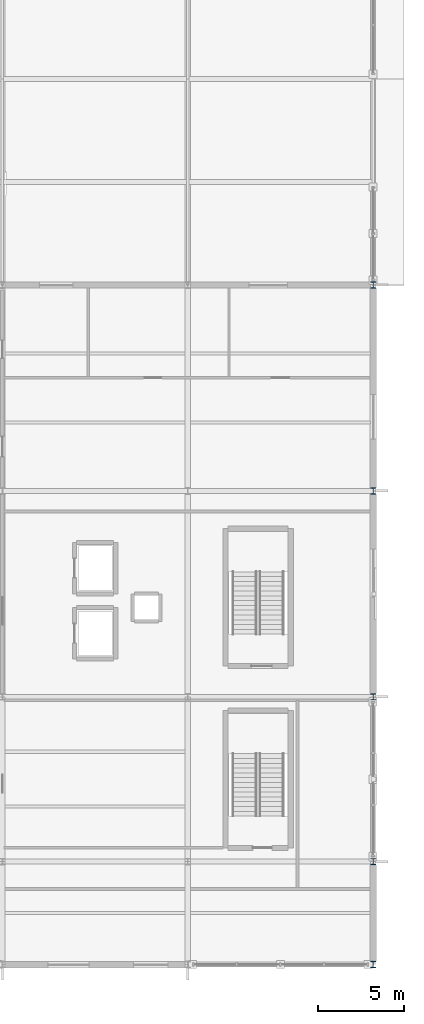
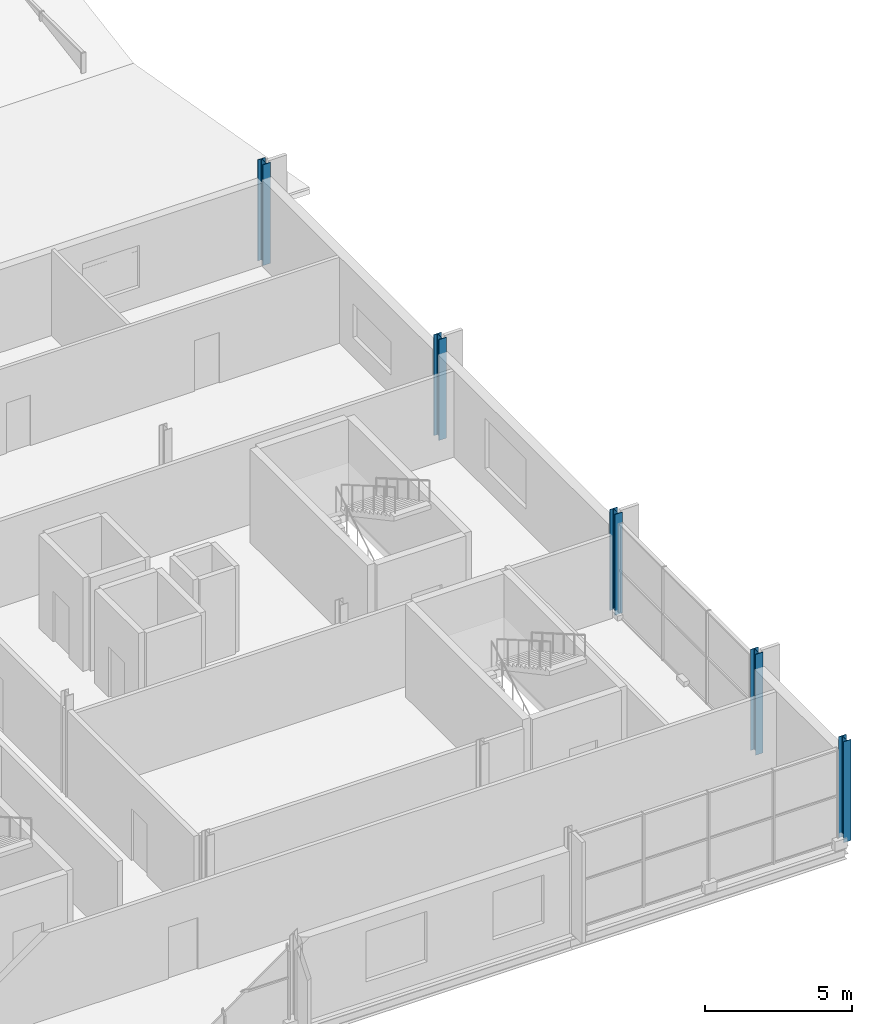
# One storey, part 17 of 117: 5 columns.
"""IFC4 building model written with IfcOpenShell, lengths in metres."""

from ifc_helpers import new_model, si_unit, direction, frame, origin, origin_2d, place, context, subcontext, project, spatial, i_section, extrude, material, material_profile, profile_set, type_object, element, save


model = new_model("IFC4")

# Units and contexts
model_context = context("Model", 3, precision=1e-05, world=origin(), true_north=direction((0.0, 1.0)))
body_context = subcontext(model_context, "Body", "Model", "MODEL_VIEW")
ifc_project = project(units=[si_unit("LENGTHUNIT", "METRE"), si_unit("AREAUNIT", "SQUARE_METRE"), si_unit("VOLUMEUNIT", "CUBIC_METRE"), si_unit("PLANEANGLEUNIT", "RADIAN"), si_unit("MASSUNIT", "GRAM", prefix="KILO")], contexts=[model_context])

# Site, building, storey
site_placement = place(None, origin())
site = spatial("IfcSite", under=ifc_project, at=site_placement, CompositionType="ELEMENT")
building_placement = place(site_placement, origin())
building = spatial("IfcBuilding", under=site, at=building_placement, Name="Merenkruunu Market Hall", CompositionType="ELEMENT")
storey_placement = place(building_placement, frame((0.0, 0.0, 10.199951171875)))
storey = spatial("IfcBuildingStorey", under=building, at=storey_placement, Name="L02", CompositionType="ELEMENT", Elevation=10.199951171875)

# Columns
ifc_material = material(Name="Steel S355J2", Category="steel")
ifc_material_profile = material_profile(ifc_material, i_section(OverallWidth=0.300048828125, OverallDepth=0.360107421875, WebThickness=0.012451171875, FlangeThickness=0.0224609375, FilletRadius=0.027099609375, at=origin_2d()), Name="HEB 360")
ifc_profile_set = profile_set([ifc_material_profile], Name="Steel S355J2")
column_type = type_object("IfcColumnType", Name="Structural Column C04", PredefinedType="COLUMN", material=ifc_profile_set)
for number, where, z_axis, x_axis, name in (
    (1, (192.0, 0.0, 0.0), (0.0, 0.0, 1.0), (1.0, 0.0, 0.0), "COL-L02-U-01"),
    (2, (192.0, 6.0, 0.0), (0.0, 0.0, 1.0), (1.0, 0.0, 0.0), "COL-L02-U-02"),
    (3, (192.0, 15.60009765625, 0.0), (0.0, 0.0, 1.0), (1.0, 0.0, 0.0), "COL-L02-U-03"),
    (4, (192.0, 27.60009765625, 0.0), (0.0, 0.0, 1.0), (1.0, 0.0, 0.0), "COL-L02-U-04"),
    (5, (192.0, 39.60009765625, 0.0), (0.0, 0.0, 1.0), (1.0, 0.0, 0.0), "COL-L02-U-05"),
):
    element("IfcColumn", number, at=place(storey_placement, frame(where, z_axis=z_axis, x_axis=x_axis)), inside=storey, type_object=column_type, Name=name, PredefinedType="COLUMN", context=body_context, shape_type="SweptSolid", body=[
        extrude(i_section(OverallWidth=0.300048828125, OverallDepth=0.360107421875, WebThickness=0.012451171875, FlangeThickness=0.0224609375, FilletRadius=0.027099609375, at=origin_2d()), origin(), (0.0, 0.0, 1.0), 4.199951171875),
    ])

save(model, "model.ifc")
